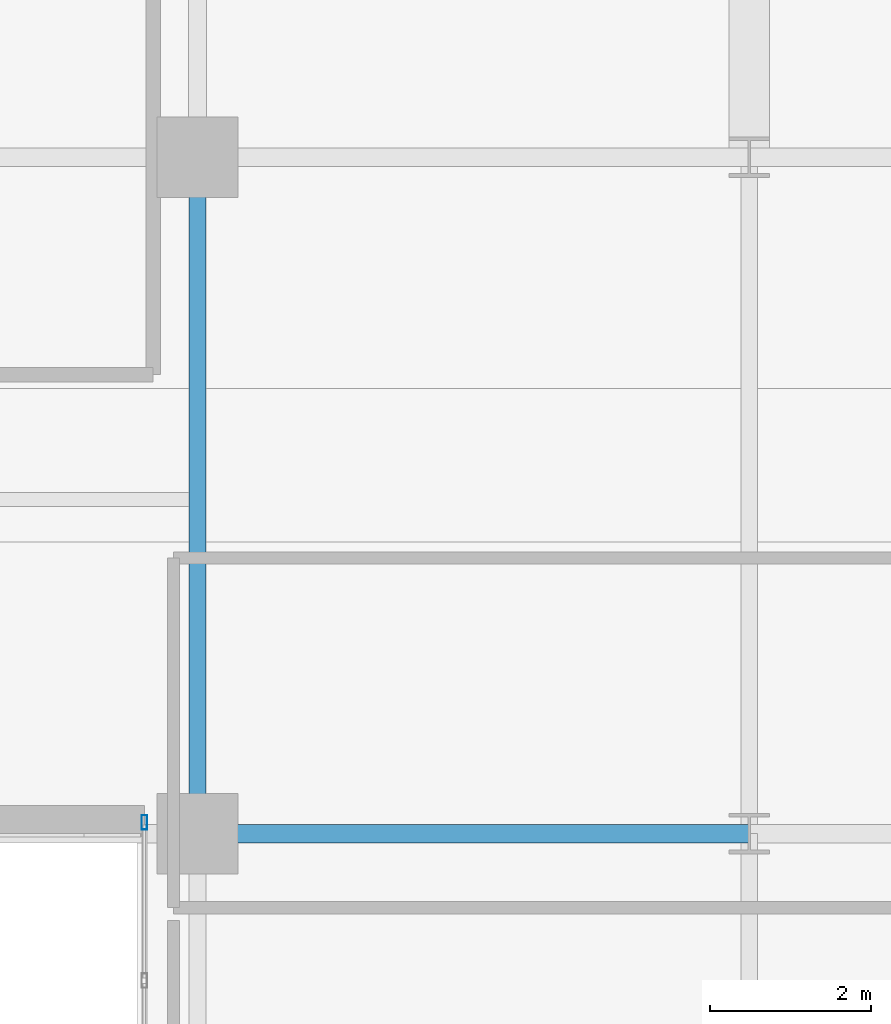
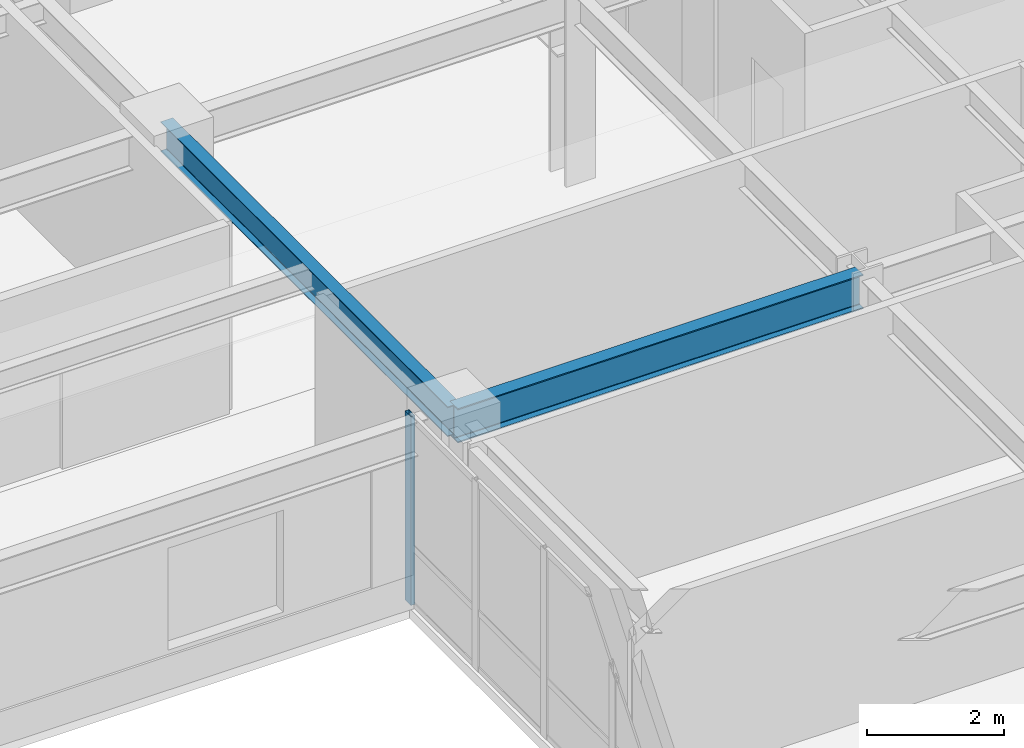
# One storey, part 11 of 25: 2 beams, 1 member, 1 element without a shape of its own.
"""IFC4 building model written with IfcOpenShell, lengths in metres."""

from ifc_helpers import new_model, si_unit, direction, frame, origin, origin_2d, place, context, subcontext, project, spatial, hollow_rectangle, i_section, extrude, source, transform, mapped, material, layer, layer_set, material_profile, profile_set, type_object, type_shapes, element, aggregate, save


model = new_model("IFC4")

# Units and contexts
model_context = context("Model", 3, precision=1e-05, world=origin(), true_north=direction((0.0, 1.0)))
body_context = subcontext(model_context, "Body", "Model", "MODEL_VIEW")
ifc_project = project(units=[si_unit("LENGTHUNIT", "METRE"), si_unit("AREAUNIT", "SQUARE_METRE"), si_unit("VOLUMEUNIT", "CUBIC_METRE"), si_unit("PLANEANGLEUNIT", "RADIAN"), si_unit("MASSUNIT", "GRAM", prefix="KILO")], contexts=[model_context])

# Site, building, storey
site_placement = place(None, origin())
site = spatial("IfcSite", under=ifc_project, at=site_placement, CompositionType="ELEMENT")
building_placement = place(site_placement, origin())
building = spatial("IfcBuilding", under=site, at=building_placement, Name="Tolvann Quenvar Hotel", CompositionType="ELEMENT")
storey_placement = place(building_placement, frame((0.0, 0.0, 46.199951171875)))
storey = spatial("IfcBuildingStorey", under=building, at=storey_placement, Name="L10", CompositionType="ELEMENT", Elevation=46.199951171875)

# Beams
ifc_material_1 = material(Name="Steel Grade 350", Category="steel")
ifc_material_profile_1 = material_profile(ifc_material_1, i_section(OverallWidth=0.22900390625, OverallDepth=0.612060546875, WebThickness=0.011962890625, FlangeThickness=0.01953125, FilletRadius=0.013916015625, at=origin_2d()), Name="610UB125")
ifc_profile_set_1 = profile_set([ifc_material_profile_1], Name="Steel Grade 350")
beam_type_1 = type_object("IfcBeamType", Name="BM_GIRD_610UB125", PredefinedType="BEAM", material=ifc_profile_set_1)
shared_shape_1 = source(origin(), body_context, "Body", "SweptSolid", [
    extrude(i_section(OverallWidth=0.22900390625, OverallDepth=0.612060546875, WebThickness=0.011962890625, FlangeThickness=0.01953125, FilletRadius=0.013916015625, at=origin_2d()), origin(), (0.0, 0.0, 1.0), 6.85009765625),
])
type_shapes(beam_type_1, [shared_shape_1])
beam_1_placement = place(storey_placement, frame((34.949951171875, 16.0, 3.06396484375), z_axis=(1.0, 0.0, 0.0), x_axis=(0.0, 1.0, 0.0)))
element("IfcBeam", 1, at=beam_1_placement, inside=storey, type_object=beam_type_1, Name="BM-L10-EW-4-F4-H4", PredefinedType="BEAM", context=body_context, shape_type="MappedRepresentation", body=[
    mapped(shared_shape_1, transform((0.0, 0.0, 0.0), x_axis=(1.0, 0.0, 0.0), y_axis=(0.0, 1.0, 0.0), z_axis=(0.0, 0.0, 1.0), scale=1.0)),
])
ifc_material_profile_2 = material_profile(ifc_material_1, i_section(OverallWidth=0.208984375, OverallDepth=0.532958984375, WebThickness=0.01025390625, FlangeThickness=0.015625, FilletRadius=0.013916015625, at=origin_2d()), Name="530UB92")
ifc_profile_set_2 = profile_set([ifc_material_profile_2], Name="Steel Grade 350")
beam_type_2 = type_object("IfcBeamType", Name="BM_GIRD_530UB92", PredefinedType="BEAM", material=ifc_profile_set_2)
shared_shape_2 = source(origin(), body_context, "Body", "SweptSolid", [
    extrude(i_section(OverallWidth=0.208984375, OverallDepth=0.532958984375, WebThickness=0.01025390625, FlangeThickness=0.015625, FilletRadius=0.013916015625, at=origin_2d()), origin(), (0.0, 0.0, 1.0), 8.39990234375),
])
type_shapes(beam_type_2, [shared_shape_2])
beam_2_placement = place(storey_placement, frame((34.949951171875, 16.0, 3.103515625), z_axis=(0.0, 1.0, 0.0), x_axis=(-1.0, 0.0, 0.0)))
element("IfcBeam", 2, at=beam_2_placement, inside=storey, type_object=beam_type_2, Name="BM-L10-NS-F4-F5", PredefinedType="BEAM", context=body_context, shape_type="MappedRepresentation", body=[
    mapped(shared_shape_2, transform((0.0, 0.0, 0.0), x_axis=(1.0, 0.0, 0.0), y_axis=(0.0, 1.0, 0.0), z_axis=(0.0, 0.0, 1.0), scale=1.0)),
])

# Curtain wall, member
ifc_material_2 = material(Name="Thermally broken anodised architectural aluminium 6063-T6 and laminated low-E glass", Category="aluminium")
ifc_layer = layer(ifc_material_2, 0.179931640625)
ifc_layer_set = layer_set([ifc_layer], Name="Thermally broken anodised architectural aluminium 6063-T6 and laminated low-E glass")
curtain_wall_type = type_object("IfcCurtainWallType", Name="CW_SYS_SLOT_03", PredefinedType="USERDEFINED", material=ifc_layer_set)
curtain_wall_placement = place(storey_placement, origin())
curtain_wall = element("IfcCurtainWall", 3, at=curtain_wall_placement, inside=storey, type_object=curtain_wall_type, Name="Curtain Wall CW-SLOT-03 (CWR-L10-E07)", ObjectType="UNITISED CURTAIN WALL", PredefinedType="USERDEFINED")
ifc_material_3 = material(Name="Anodised architectural aluminium 6063-T6 framing", Category="aluminium")
ifc_material_profile_3 = material_profile(ifc_material_3, hollow_rectangle(XDim=0.070068359375, YDim=0.179931640625, WallThickness=0.00390625, at=origin_2d()), Name="180x70x4RHS")
ifc_profile_set_3 = profile_set([ifc_material_profile_3], Name="Anodised architectural aluminium 6063-T6 framing")
member_type = type_object("IfcMemberType", Name="CW_MULL_180x70", PredefinedType="MULLION", material=ifc_profile_set_3)
shared_shape_3 = source(origin(), body_context, "Body", "SweptSolid", [
    extrude(hollow_rectangle(XDim=0.070068359375, YDim=0.179931640625, WallThickness=0.00390625, at=origin_2d()), origin(), (0.0, 0.0, 1.0), 3.3701171875),
])
type_shapes(member_type, [shared_shape_3])
member_placement = place(storey_placement, frame((34.2900390625, 16.139892578125, 0.0), z_axis=(0.0, 0.0, 1.0), x_axis=(1.0, 0.0, 0.0)))
member = element("IfcMember", 4, at=member_placement, type_object=member_type, Name="CW-SLOT-03 mullion 1", PredefinedType="MULLION", context=body_context, shape_type="MappedRepresentation", body=[
    mapped(shared_shape_3, transform((0.0, 0.0, 0.0), x_axis=(1.0, 0.0, 0.0), y_axis=(0.0, 1.0, 0.0), z_axis=(0.0, 0.0, 1.0), scale=1.0)),
])
aggregate(curtain_wall, [member])

save(model, "model.ifc")
